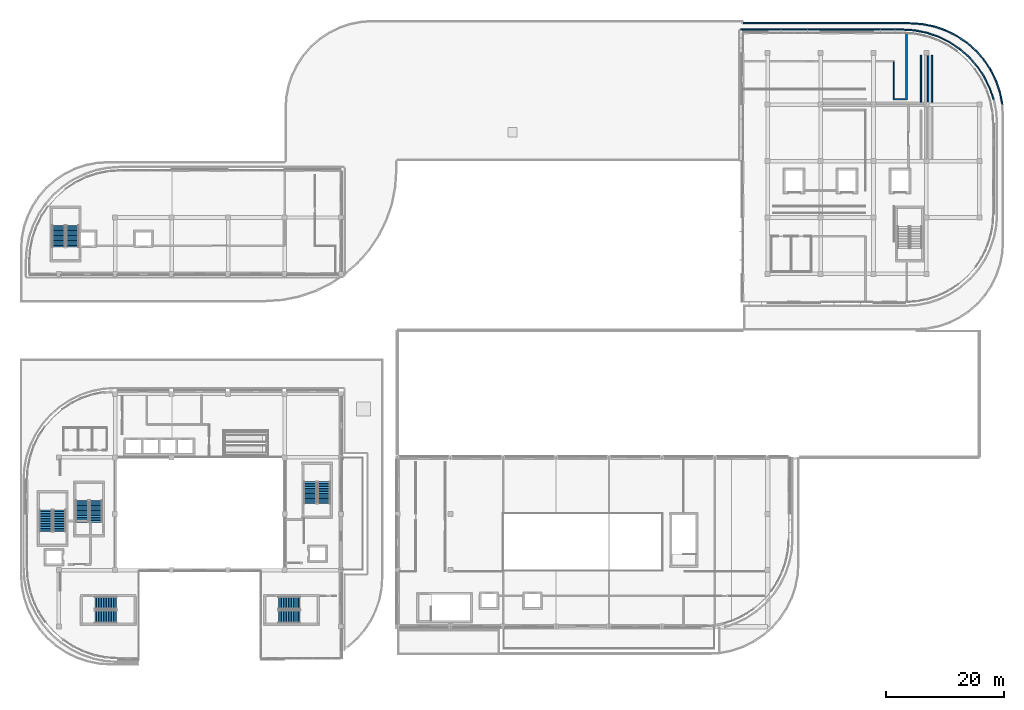
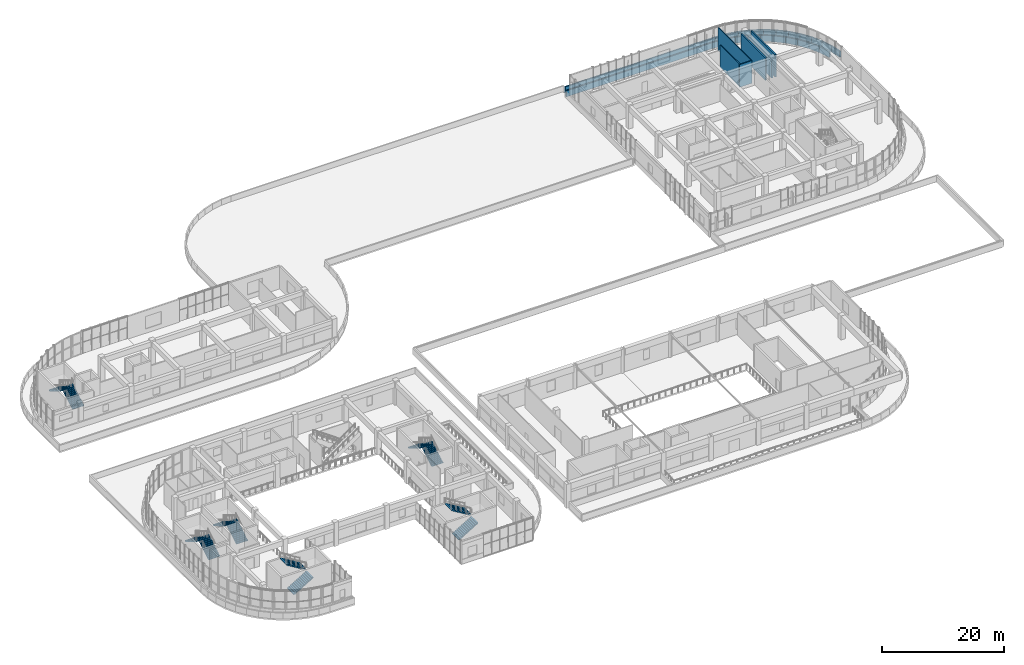
# One storey, part 52 of 67: 29 walls, 12 stair flights, 6 elements without a shape of their own.
"""IFC4 building model written with IfcOpenShell, lengths in metres."""

from ifc_helpers import new_model, si_unit, direction, frame, frame_2d, origin, place, context, subcontext, project, spatial, polyline, rectangle, outline, extrude, material, layer, layer_set, type_object, element, aggregate, save


model = new_model("IFC4")

# Units and contexts
model_context = context("Model", 3, precision=1e-05, world=origin(), true_north=direction((0.0, 1.0)))
body_context = subcontext(model_context, "Body", "Model", "MODEL_VIEW")
ifc_project = project(units=[si_unit("LENGTHUNIT", "METRE"), si_unit("AREAUNIT", "SQUARE_METRE"), si_unit("VOLUMEUNIT", "CUBIC_METRE"), si_unit("PLANEANGLEUNIT", "RADIAN"), si_unit("MASSUNIT", "GRAM", prefix="KILO")], contexts=[model_context])

# Site, building, storey
site_placement = place(None, origin())
site = spatial("IfcSite", under=ifc_project, at=site_placement, CompositionType="ELEMENT")
building_placement = place(site_placement, origin())
building = spatial("IfcBuilding", under=site, at=building_placement, Name="Cendralis Terraced Arcade", CompositionType="ELEMENT")
storey_placement = place(building_placement, frame((0.0, 0.0, 15.0)))
storey = spatial("IfcBuildingStorey", under=building, at=storey_placement, Name="L03", CompositionType="ELEMENT", Elevation=15.0)

# Walls
ifc_material_1 = material(Name="Autoclaved aerated concrete blockwork", Category="masonry")
ifc_layer_1 = layer(ifc_material_1, 0.241943359375, Name="WL-FIRE-242")
ifc_layer_set_1 = layer_set([ifc_layer_1], Name="Autoclaved aerated concrete blockwork")
wall_type_1 = type_object("IfcWallType", Name="WL-FIRE-242", PredefinedType="PARTITIONING", material=ifc_layer_set_1)
wall_1_placement = place(storey_placement, frame((158.1201171875, 98.824951171875, 0.0), z_axis=(0.0, 0.0, 1.0), x_axis=(0.0, 1.0, 0.0)))
element("IfcWall", 1, at=wall_1_placement, inside=storey, type_object=wall_type_1, Name="Interior Partition Wall IW-L03-0575", PredefinedType="PARTITIONING", context=body_context, shape_type="SweptSolid", body=[
    extrude(rectangle(XDim=7.949951171875, YDim=0.241943359375, at=frame_2d((3.97509765625, 0.0))), origin(), (0.0, 0.0, 1.0), 4.52001953125),
])
wall_2_placement = place(storey_placement, frame((156.280029296875, 106.77490234375, 0.0), z_axis=(0.0, 0.0, 1.0), x_axis=(0.0, -1.0, 0.0)))
element("IfcWall", 2, at=wall_2_placement, inside=storey, type_object=wall_type_1, Name="Interior Partition Wall IW-L03-0576", PredefinedType="PARTITIONING", context=body_context, shape_type="SweptSolid", body=[
    extrude(rectangle(XDim=7.96484375, YDim=0.241943359375, at=frame_2d((3.982421875, 0.0))), origin(), (0.0, 0.0, 1.0), 4.52001953125),
])
ifc_layer_2 = layer(ifc_material_1, 0.260009765625, Name="WL-FIRE-260")
ifc_layer_set_2 = layer_set([ifc_layer_2], Name="Autoclaved aerated concrete blockwork")
wall_type_2 = type_object("IfcWallType", Name="WL-FIRE-260", PredefinedType="PARTITIONING", material=ifc_layer_set_2)
wall_3_placement = place(storey_placement, frame((157.47998046875, 98.8798828125, 0.0), z_axis=(0.0, 0.0, 1.0), x_axis=(0.0, 1.0, 0.0)))
element("IfcWall", 3, at=wall_3_placement, inside=storey, type_object=wall_type_2, Name="Braced Bay Fire Enclosure Wall IW-BRC-L03-04", PredefinedType="PARTITIONING", context=body_context, shape_type="SweptSolid", body=[
    extrude(rectangle(XDim=7.840087890625, YDim=0.260009765625, at=frame_2d((3.919921875, 0.0))), origin(), (0.0, 0.0, 1.0), 3.4599609375),
])
ifc_material_2 = material(Name="Precast concrete f'c 40 MPa", Category="concrete")
ifc_layer_3 = layer(ifc_material_2, 0.25, Name="WL-PAR-250")
ifc_layer_set_3 = layer_set([ifc_layer_3], Name="Precast concrete f'c 40 MPa")
wall_type_3 = type_object("IfcWallType", Name="WL-PAR-250", PredefinedType="PARAPET", material=ifc_layer_set_3)
wall_4_placement = place(storey_placement, frame((168.61572265625, 99.26708984375, 0.0), z_axis=(0.0, 0.0, 1.0), x_axis=(-0.321427744979, 0.946934107928, 0.0)))
element("IfcWall", 4, at=wall_4_placement, inside=storey, type_object=wall_type_3, Name="Precast Concrete Roof Parapet Wall PAR-L03-188", PredefinedType="PARAPET", context=body_context, shape_type="SweptSolid", body=[
    extrude(rectangle(XDim=2.082763671875, YDim=0.25, at=frame_2d((1.04150390625, 0.0))), origin(), (0.0, 0.0, 1.0), 1.199951171875),
])
for number, where, z_axis, x_axis, name in (
    (5, (167.93896484375, 101.2568359375, 0.0), (0.0, 0.0, 1.0), (-0.442329946041, 0.896852395233, 0.0), "Precast Concrete Roof Parapet Wall PAR-L03-189"),
    (6, (167.008544921875, 103.14111328125, 0.0), (0.0, 0.0, 1.0), (-0.555592692256, 0.831454605082, 0.0), "Precast Concrete Roof Parapet Wall PAR-L03-190"),
    (7, (165.83984375, 104.8876953125, 0.0), (0.0, 0.0, 1.0), (-0.659342497809, 0.751842716652, 0.0), "Precast Concrete Roof Parapet Wall PAR-L03-191"),
    (8, (164.453369140625, 106.466796875, 0.0), (0.0, 0.0, 1.0), (-0.751842716652, 0.659342497809, 0.0), "Precast Concrete Roof Parapet Wall PAR-L03-192"),
    (9, (162.87255859375, 107.8515625, 0.0), (0.0, 0.0, 1.0), (-0.831454605082, 0.555592692256, 0.0), "Precast Concrete Roof Parapet Wall PAR-L03-193"),
    (10, (161.12451171875, 109.017822265625, 0.0), (0.0, 0.0, 1.0), (-0.896852395233, 0.442329946041, 0.0), "Precast Concrete Roof Parapet Wall PAR-L03-194"),
):
    element("IfcWall", number, at=place(storey_placement, frame(where, z_axis=z_axis, x_axis=x_axis)), inside=storey, type_object=wall_type_3, Name=name, PredefinedType="PARAPET", context=body_context, shape_type="SweptSolid", body=[
        extrude(rectangle(XDim=2.08251953125, YDim=0.25, at=frame_2d((1.041259765625, 0.0))), origin(), (0.0, 0.0, 1.0), 1.199951171875),
    ])
wall_5_placement = place(storey_placement, frame((159.2392578125, 109.9462890625, 0.0), z_axis=(0.0, 0.0, 1.0), x_axis=(-0.946934107928, 0.321427744979, 0.0)))
element("IfcWall", 11, at=wall_5_placement, inside=storey, type_object=wall_type_3, Name="Precast Concrete Roof Parapet Wall PAR-L03-195", PredefinedType="PARAPET", context=body_context, shape_type="SweptSolid", body=[
    extrude(rectangle(XDim=2.082763671875, YDim=0.25, at=frame_2d((1.04150390625, 0.0))), origin(), (0.0, 0.0, 1.0), 1.199951171875),
])
wall_6_placement = place(storey_placement, frame((157.248779296875, 110.62060546875, 0.0), z_axis=(0.0, 0.0, 1.0), x_axis=(-0.980787542946, 0.195078947103, 0.0)))
element("IfcWall", 12, at=wall_6_placement, inside=storey, type_object=wall_type_3, Name="Precast Concrete Roof Parapet Wall PAR-L03-196", PredefinedType="PARAPET", context=body_context, shape_type="SweptSolid", body=[
    extrude(rectangle(XDim=2.08251953125, YDim=0.25, at=frame_2d((1.041259765625, 0.0))), origin(), (0.0, 0.0, 1.0), 1.199951171875),
])
wall_7_placement = place(storey_placement, frame((155.1875, 111.029296875, 0.0), z_axis=(0.0, 0.0, 1.0), x_axis=(-0.997852525394, 0.065500668432, 0.0)))
element("IfcWall", 13, at=wall_7_placement, inside=storey, type_object=wall_type_3, Name="Precast Concrete Roof Parapet Wall PAR-L03-197", PredefinedType="PARAPET", context=body_context, shape_type="SweptSolid", body=[
    extrude(rectangle(XDim=2.068603515625, YDim=0.25, at=frame_2d((1.0341796875, 0.0))), origin(), (0.0, 0.0, 1.0), 1.199951171875),
])
wall_8_placement = place(storey_placement, frame((153.11376953125, 111.1650390625, 0.0), z_axis=(0.0, 0.0, 1.0), x_axis=(-1.0, 0.0, 0.0)))
element("IfcWall", 14, at=wall_8_placement, inside=storey, type_object=wall_type_3, Name="Precast Concrete Roof Parapet Wall PAR-L03-198", PredefinedType="PARAPET", context=body_context, shape_type="SweptSolid", body=[
    extrude(rectangle(XDim=27.53369140625, YDim=0.25, at=frame_2d((13.766845703125, 0.0))), origin(), (0.0, 0.0, 1.0), 1.199951171875),
])
wall_9_placement = place(storey_placement, frame((126.0, 112.2548828125, 0.0), z_axis=(0.0, 0.0, 1.0), x_axis=(1.0, 0.0, 0.0)))
element("IfcWall", 15, at=wall_9_placement, inside=storey, type_object=wall_type_3, Name="Precast Concrete Roof Parapet Wall PAR-L03-259", PredefinedType="PARAPET", context=body_context, shape_type="SweptSolid", body=[
    extrude(rectangle(XDim=28.39990234375, YDim=0.25, at=frame_2d((14.199951171875, 0.0))), origin(), (0.0, 0.0, 1.0), 1.199951171875),
])
wall_10_placement = place(storey_placement, frame((154.390380859375, 112.25537109375, 0.0), z_axis=(0.0, 0.0, 1.0), x_axis=(0.997856824199, -0.065435146508, 0.0)))
element("IfcWall", 16, at=wall_10_placement, inside=storey, type_object=wall_type_3, Name="Precast Concrete Roof Parapet Wall PAR-L03-260", PredefinedType="PARAPET", context=body_context, shape_type="SweptSolid", body=[
    extrude(rectangle(XDim=2.093017578125, YDim=0.25, at=frame_2d((1.04638671875, 0.0))), origin(), (0.0, 0.0, 1.0), 1.199951171875),
])
wall_11_placement = place(storey_placement, frame((156.460205078125, 112.120849609375, 0.0), z_axis=(0.0, 0.0, 1.0), x_axis=(0.980791000656, -0.195061562162, 0.0)))
element("IfcWall", 17, at=wall_11_placement, inside=storey, type_object=wall_type_3, Name="Precast Concrete Roof Parapet Wall PAR-L03-261", PredefinedType="PARAPET", context=body_context, shape_type="SweptSolid", body=[
    extrude(rectangle(XDim=2.0927734375, YDim=0.25, at=frame_2d((1.04638671875, 0.0))), origin(), (0.0, 0.0, 1.0), 1.199951171875),
])
for number, where, z_axis, x_axis, name in (
    (18, (158.494384765625, 111.717529296875, 0.0), (0.0, 0.0, 1.0), (0.946954614039, -0.321367327135, 0.0), "Precast Concrete Roof Parapet Wall PAR-L03-262"),
    (19, (160.458740234375, 111.052001953125, 0.0), (0.0, 0.0, 1.0), (0.896909532793, -0.4422140771, 0.0), "Precast Concrete Roof Parapet Wall PAR-L03-263"),
):
    element("IfcWall", number, at=place(storey_placement, frame(where, z_axis=z_axis, x_axis=x_axis)), inside=storey, type_object=wall_type_3, Name=name, PredefinedType="PARAPET", context=body_context, shape_type="SweptSolid", body=[
        extrude(rectangle(XDim=2.093017578125, YDim=0.25, at=frame_2d((1.04638671875, 0.0))), origin(), (0.0, 0.0, 1.0), 1.199951171875),
    ])
for number, where, z_axis, x_axis, name in (
    (20, (162.3193359375, 110.1357421875, 0.0), (0.0, 0.0, 1.0), (0.831511498164, -0.555507541282, 0.0), "Precast Concrete Roof Parapet Wall PAR-L03-264"),
    (21, (164.044677734375, 108.984619140625, 0.0), (0.0, 0.0, 1.0), (0.751846359684, -0.659338343667, 0.0), "Precast Concrete Roof Parapet Wall PAR-L03-265"),
    (22, (165.604736328125, 107.6181640625, 0.0), (0.0, 0.0, 1.0), (0.659338343667, -0.751846359684, 0.0), "Precast Concrete Roof Parapet Wall PAR-L03-266"),
    (23, (166.97314453125, 106.0595703125, 0.0), (0.0, 0.0, 1.0), (0.555507541282, -0.831511498164, 0.0), "Precast Concrete Roof Parapet Wall PAR-L03-267"),
):
    element("IfcWall", number, at=place(storey_placement, frame(where, z_axis=z_axis, x_axis=x_axis)), inside=storey, type_object=wall_type_3, Name=name, PredefinedType="PARAPET", context=body_context, shape_type="SweptSolid", body=[
        extrude(rectangle(XDim=2.0927734375, YDim=0.25, at=frame_2d((1.04638671875, 0.0))), origin(), (0.0, 0.0, 1.0), 1.199951171875),
    ])
for number, where, z_axis, x_axis, name in (
    (24, (168.12646484375, 104.3359375, 0.0), (0.0, 0.0, 1.0), (0.4422140771, -0.896909532793, 0.0), "Precast Concrete Roof Parapet Wall PAR-L03-268"),
    (25, (169.044921875, 102.476318359375, 0.0), (0.0, 0.0, 1.0), (0.321367327135, -0.946954614039, 0.0), "Precast Concrete Roof Parapet Wall PAR-L03-269"),
):
    element("IfcWall", number, at=place(storey_placement, frame(where, z_axis=z_axis, x_axis=x_axis)), inside=storey, type_object=wall_type_3, Name=name, PredefinedType="PARAPET", context=body_context, shape_type="SweptSolid", body=[
        extrude(rectangle(XDim=2.093017578125, YDim=0.25, at=frame_2d((1.04638671875, 0.0))), origin(), (0.0, 0.0, 1.0), 1.199951171875),
    ])
wall_12_placement = place(storey_placement, frame((169.712646484375, 100.5126953125, 0.0), z_axis=(0.0, 0.0, 1.0), x_axis=(0.195061562162, -0.980791000656, 0.0)))
element("IfcWall", 26, at=wall_12_placement, inside=storey, type_object=wall_type_3, Name="Precast Concrete Roof Parapet Wall PAR-L03-270", PredefinedType="PARAPET", context=body_context, shape_type="SweptSolid", body=[
    extrude(rectangle(XDim=2.0927734375, YDim=0.25, at=frame_2d((1.04638671875, 0.0))), origin(), (0.0, 0.0, 1.0), 1.199951171875),
])
ifc_material_3 = material(Name="Gypsum plasterboard acoustic partition", Category="concrete")
ifc_layer_4 = layer(ifc_material_3, 0.169921875, Name="WL-PART-170")
ifc_layer_set_4 = layer_set([ifc_layer_4], Name="Gypsum plasterboard acoustic partition")
wall_type_4 = type_object("IfcWallType", Name="WL-PART-170", PredefinedType="PARTITIONING", material=ifc_layer_set_4)
wall_13_placement = place(storey_placement, frame((153.8798828125, 110.2080078125, 0.0), z_axis=(0.0, 0.0, 1.0), x_axis=(0.0, -1.0, 0.0)))
element("IfcWall", 27, at=wall_13_placement, inside=storey, type_object=wall_type_4, Name="Interior Partition Wall IW-L03-0571", PredefinedType="PARTITIONING", context=body_context, shape_type="SweptSolid", body=[
    extrude(rectangle(XDim=10.887939453125, YDim=0.169921875, at=frame_2d((5.44384765625, 0.0))), origin(), (0.0, 0.0, 1.0), 4.52001953125),
])
ifc_layer_5 = layer(ifc_material_3, 0.175048828125, Name="WL-PART-175")
ifc_layer_set_5 = layer_set([ifc_layer_5], Name="Gypsum plasterboard acoustic partition")
wall_type_5 = type_object("IfcWallType", Name="WL-PART-175", PredefinedType="PARTITIONING", material=ifc_layer_set_5)
wall_14_placement = place(storey_placement, frame((153.8798828125, 99.320068359375, 0.0), z_axis=(0.0, 0.0, 1.0), x_axis=(-1.0, 0.0, 0.0)))
element("IfcWall", 28, at=wall_14_placement, inside=storey, type_object=wall_type_5, Name="Interior Partition Wall IW-L03-0570", PredefinedType="PARTITIONING", context=body_context, shape_type="SweptSolid", body=[
    extrude(rectangle(XDim=2.36083984375, YDim=0.175048828125, at=frame_2d((1.180419921875, 0.0))), origin(), (0.0, 0.0, 1.0), 4.52001953125),
])
ifc_layer_6 = layer(ifc_material_3, 0.179931640625, Name="WL-PART-180")
ifc_layer_set_6 = layer_set([ifc_layer_6], Name="Gypsum plasterboard acoustic partition")
wall_type_6 = type_object("IfcWallType", Name="WL-PART-180", PredefinedType="PARTITIONING", material=ifc_layer_set_6)
wall_15_placement = place(storey_placement, frame((151.679931640625, 99.407470703125, 0.0), z_axis=(0.0, 0.0, 1.0), x_axis=(0.0, 1.0, 0.0)))
element("IfcWall", 29, at=wall_15_placement, inside=storey, type_object=wall_type_6, Name="Interior Partition Wall IW-L03-0569", PredefinedType="PARTITIONING", context=body_context, shape_type="SweptSolid", body=[
    extrude(rectangle(XDim=6.280029296875, YDim=0.179931640625, at=frame_2d((3.14013671875, 0.0))), origin(), (0.0, 0.0, 1.0), 4.52001953125),
])

# Stair, stair flights
ifc_material_4 = material(Name="Concrete f'c 35 MPa", Category="concrete")
stair_type = type_object("IfcStairType", Name="STR-W215-H480", PredefinedType="HALF_TURN_STAIR", material=ifc_material_4)
stair_1_placement = place(storey_placement, origin())
stair_1 = element("IfcStair", 30, at=stair_1_placement, inside=storey, type_object=stair_type, Name="L03 Protected Exit Stair ST-01", PredefinedType="HALF_TURN_STAIR")
ifc_layer_7 = layer(ifc_material_4, 0.159912109375, Name="FLT-W215-H480")
ifc_layer_set_7 = layer_set([ifc_layer_7], Name="Concrete f'c 35 MPa")
stair_flight_type = type_object("IfcStairFlightType", Name="FLT-W215-H480", PredefinedType="STRAIGHT", material=ifc_layer_set_7)
stair_flight_1_placement = place(storey_placement, frame((9.72509765625, 25.75, 0.0), z_axis=(0.0, 0.0, 1.0), x_axis=(0.0, 1.0, 0.0)))
stair_flight_1 = element("IfcStairFlight", 31, at=stair_flight_1_placement, type_object=stair_flight_type, Name="ST-01 flight 1", NumberOfRisers=14, NumberOfTreads=13, PredefinedType="STRAIGHT", RiserHeight=0.171428571, TreadLength=0.285, context=body_context, shape_type="SweptSolid", body=[
    extrude(outline(polyline([(0.0, 0.0), (0.0, 0.17138671875), (0.284912109375, 0.17138671875), (0.284912109375, 0.3427734375), (0.570068359375, 0.3427734375), (0.570068359375, 0.514404296875), (0.85498046875, 0.514404296875), (0.85498046875, 0.685791015625), (1.139892578125, 0.685791015625), (1.139892578125, 0.857177734375), (1.425048828125, 0.857177734375), (1.425048828125, 1.028564453125), (1.7099609375, 1.028564453125), (1.7099609375, 1.199951171875), (1.9951171875, 1.199951171875), (1.9951171875, 1.371337890625), (2.280029296875, 1.371337890625), (2.280029296875, 1.54296875), (2.56494140625, 1.54296875), (2.56494140625, 1.71435546875), (2.85009765625, 1.71435546875), (2.85009765625, 1.8857421875), (3.135009765625, 1.8857421875), (3.135009765625, 2.05712890625), (3.419921875, 2.05712890625), (3.419921875, 2.228515625), (3.705078125, 2.228515625), (3.705078125, 2.39990234375), (3.705078125, 2.0537109375), (0.290771484375, 0.0), (0.0, 0.0)])), frame((0.0, 1.074951171875, 0.0), z_axis=(0.0, -1.0, 0.0), x_axis=(1.0, 0.0, 0.0)), (0.0, 0.0, 1.0), 2.14990234375),
])
stair_flight_2_placement = place(storey_placement, frame((7.375, 29.455078125, 2.39990234375), z_axis=(0.0, 0.0, 1.0), x_axis=(0.0, -1.0, 0.0)))
stair_flight_2 = element("IfcStairFlight", 32, at=stair_flight_2_placement, type_object=stair_flight_type, Name="ST-01 flight 2", NumberOfRisers=14, NumberOfTreads=13, PredefinedType="STRAIGHT", RiserHeight=0.171428571, TreadLength=0.285, context=body_context, shape_type="SweptSolid", body=[
    extrude(outline(polyline([(0.0, 0.0), (0.0, 0.17138671875), (0.284912109375, 0.17138671875), (0.284912109375, 0.3427734375), (0.570068359375, 0.3427734375), (0.570068359375, 0.514404296875), (0.85498046875, 0.514404296875), (0.85498046875, 0.685791015625), (1.139892578125, 0.685791015625), (1.139892578125, 0.857177734375), (1.425048828125, 0.857177734375), (1.425048828125, 1.028564453125), (1.7099609375, 1.028564453125), (1.7099609375, 1.199951171875), (1.9951171875, 1.199951171875), (1.9951171875, 1.371337890625), (2.280029296875, 1.371337890625), (2.280029296875, 1.54296875), (2.56494140625, 1.54296875), (2.56494140625, 1.71435546875), (2.85009765625, 1.71435546875), (2.85009765625, 1.8857421875), (3.135009765625, 1.8857421875), (3.135009765625, 2.05712890625), (3.419921875, 2.05712890625), (3.419921875, 2.228515625), (3.705078125, 2.228515625), (3.705078125, 2.39990234375), (3.705078125, 2.0537109375), (0.290771484375, 0.0), (0.0, 0.0)])), frame((0.0, 1.074951171875, 0.0), z_axis=(0.0, -1.0, 0.0), x_axis=(1.0, 0.0, 0.0)), (0.0, 0.0, 1.0), 2.14990234375),
])
aggregate(stair_1, [stair_flight_1, stair_flight_2])

stair_2_placement = place(storey_placement, origin())
stair_2 = element("IfcStair", 33, at=stair_2_placement, inside=storey, type_object=stair_type, Name="L03 Protected Exit Stair ST-02", PredefinedType="HALF_TURN_STAIR")
stair_flight_3_placement = place(storey_placement, frame((15.75, 11.27490234375, 0.0), z_axis=(0.0, 0.0, 1.0), x_axis=(1.0, 0.0, 0.0)))
stair_flight_3 = element("IfcStairFlight", 34, at=stair_flight_3_placement, type_object=stair_flight_type, Name="ST-02 flight 1", NumberOfRisers=14, NumberOfTreads=13, PredefinedType="STRAIGHT", RiserHeight=0.171428571, TreadLength=0.285, context=body_context, shape_type="SweptSolid", body=[
    extrude(outline(polyline([(0.0, 0.0), (0.0, 0.17138671875), (0.284912109375, 0.17138671875), (0.284912109375, 0.3427734375), (0.570068359375, 0.3427734375), (0.570068359375, 0.514404296875), (0.85498046875, 0.514404296875), (0.85498046875, 0.685791015625), (1.139892578125, 0.685791015625), (1.139892578125, 0.857177734375), (1.425048828125, 0.857177734375), (1.425048828125, 1.028564453125), (1.7099609375, 1.028564453125), (1.7099609375, 1.199951171875), (1.9951171875, 1.199951171875), (1.9951171875, 1.371337890625), (2.280029296875, 1.371337890625), (2.280029296875, 1.54296875), (2.56494140625, 1.54296875), (2.56494140625, 1.71435546875), (2.85009765625, 1.71435546875), (2.85009765625, 1.8857421875), (3.135009765625, 1.8857421875), (3.135009765625, 2.05712890625), (3.419921875, 2.05712890625), (3.419921875, 2.228515625), (3.705078125, 2.228515625), (3.705078125, 2.39990234375), (3.705078125, 2.0537109375), (0.290771484375, 0.0), (0.0, 0.0)])), frame((0.0, 1.074951171875, 0.0), z_axis=(0.0, -1.0, 0.0), x_axis=(1.0, 0.0, 0.0)), (0.0, 0.0, 1.0), 2.14990234375),
])
stair_flight_4_placement = place(storey_placement, frame((19.455078125, 13.625, 2.39990234375), z_axis=(0.0, 0.0, 1.0), x_axis=(-1.0, 0.0, 0.0)))
stair_flight_4 = element("IfcStairFlight", 35, at=stair_flight_4_placement, type_object=stair_flight_type, Name="ST-02 flight 2", NumberOfRisers=14, NumberOfTreads=13, PredefinedType="STRAIGHT", RiserHeight=0.171428571, TreadLength=0.285, context=body_context, shape_type="SweptSolid", body=[
    extrude(outline(polyline([(0.0, 0.0), (0.0, 0.17138671875), (0.284912109375, 0.17138671875), (0.284912109375, 0.3427734375), (0.570068359375, 0.3427734375), (0.570068359375, 0.514404296875), (0.85498046875, 0.514404296875), (0.85498046875, 0.685791015625), (1.139892578125, 0.685791015625), (1.139892578125, 0.857177734375), (1.425048828125, 0.857177734375), (1.425048828125, 1.028564453125), (1.7099609375, 1.028564453125), (1.7099609375, 1.199951171875), (1.9951171875, 1.199951171875), (1.9951171875, 1.371337890625), (2.280029296875, 1.371337890625), (2.280029296875, 1.54296875), (2.56494140625, 1.54296875), (2.56494140625, 1.71435546875), (2.85009765625, 1.71435546875), (2.85009765625, 1.8857421875), (3.135009765625, 1.8857421875), (3.135009765625, 2.05712890625), (3.419921875, 2.05712890625), (3.419921875, 2.228515625), (3.705078125, 2.228515625), (3.705078125, 2.39990234375), (3.705078125, 2.0537109375), (0.290771484375, 0.0), (0.0, 0.0)])), frame((0.0, 1.074951171875, 0.0), z_axis=(0.0, -1.0, 0.0), x_axis=(1.0, 0.0, 0.0)), (0.0, 0.0, 1.0), 2.14990234375),
])
aggregate(stair_2, [stair_flight_3, stair_flight_4])

stair_3_placement = place(storey_placement, origin())
stair_3 = element("IfcStair", 36, at=stair_3_placement, inside=storey, type_object=stair_type, Name="L03 Protected Exit Stair ST-03", PredefinedType="HALF_TURN_STAIR")
stair_flight_5_placement = place(storey_placement, frame((46.949951171875, 11.27490234375, 0.0), z_axis=(0.0, 0.0, 1.0), x_axis=(1.0, 0.0, 0.0)))
stair_flight_5 = element("IfcStairFlight", 37, at=stair_flight_5_placement, type_object=stair_flight_type, Name="ST-03 flight 1", NumberOfRisers=14, NumberOfTreads=13, PredefinedType="STRAIGHT", RiserHeight=0.171428571, TreadLength=0.285, context=body_context, shape_type="SweptSolid", body=[
    extrude(outline(polyline([(0.0, 0.0), (0.0, 0.17138671875), (0.284912109375, 0.17138671875), (0.284912109375, 0.3427734375), (0.570068359375, 0.3427734375), (0.570068359375, 0.514404296875), (0.85498046875, 0.514404296875), (0.85498046875, 0.685791015625), (1.139892578125, 0.685791015625), (1.139892578125, 0.857177734375), (1.425048828125, 0.857177734375), (1.425048828125, 1.028564453125), (1.7099609375, 1.028564453125), (1.7099609375, 1.199951171875), (1.9951171875, 1.199951171875), (1.9951171875, 1.371337890625), (2.280029296875, 1.371337890625), (2.280029296875, 1.54296875), (2.56494140625, 1.54296875), (2.56494140625, 1.71435546875), (2.85009765625, 1.71435546875), (2.85009765625, 1.8857421875), (3.135009765625, 1.8857421875), (3.135009765625, 2.05712890625), (3.419921875, 2.05712890625), (3.419921875, 2.228515625), (3.705078125, 2.228515625), (3.705078125, 2.39990234375), (3.705078125, 2.0537109375), (0.290771484375, 0.0), (0.0, 0.0)])), frame((0.0, 1.074951171875, 0.0), z_axis=(0.0, -1.0, 0.0), x_axis=(1.0, 0.0, 0.0)), (0.0, 0.0, 1.0), 2.14990234375),
])
stair_flight_6_placement = place(storey_placement, frame((50.655029296875, 13.625, 2.39990234375), z_axis=(0.0, 0.0, 1.0), x_axis=(-1.0, 0.0, 0.0)))
stair_flight_6 = element("IfcStairFlight", 38, at=stair_flight_6_placement, type_object=stair_flight_type, Name="ST-03 flight 2", NumberOfRisers=14, NumberOfTreads=13, PredefinedType="STRAIGHT", RiserHeight=0.171428571, TreadLength=0.285, context=body_context, shape_type="SweptSolid", body=[
    extrude(outline(polyline([(0.0, 0.0), (0.0, 0.17138671875), (0.284912109375, 0.17138671875), (0.284912109375, 0.3427734375), (0.570068359375, 0.3427734375), (0.570068359375, 0.514404296875), (0.85498046875, 0.514404296875), (0.85498046875, 0.685791015625), (1.139892578125, 0.685791015625), (1.139892578125, 0.857177734375), (1.425048828125, 0.857177734375), (1.425048828125, 1.028564453125), (1.7099609375, 1.028564453125), (1.7099609375, 1.199951171875), (1.9951171875, 1.199951171875), (1.9951171875, 1.371337890625), (2.280029296875, 1.371337890625), (2.280029296875, 1.54296875), (2.56494140625, 1.54296875), (2.56494140625, 1.71435546875), (2.85009765625, 1.71435546875), (2.85009765625, 1.8857421875), (3.135009765625, 1.8857421875), (3.135009765625, 2.05712890625), (3.419921875, 2.05712890625), (3.419921875, 2.228515625), (3.705078125, 2.228515625), (3.705078125, 2.39990234375), (3.705078125, 2.0537109375), (0.290771484375, 0.0), (0.0, 0.0)])), frame((0.0, 1.074951171875, 0.0), z_axis=(0.0, -1.0, 0.0), x_axis=(1.0, 0.0, 0.0)), (0.0, 0.0, 1.0), 2.14990234375),
])
aggregate(stair_3, [stair_flight_5, stair_flight_6])

stair_4_placement = place(storey_placement, origin())
stair_4 = element("IfcStair", 39, at=stair_4_placement, inside=storey, type_object=stair_type, Name="L03 Protected Exit Stair ST-04", PredefinedType="HALF_TURN_STAIR")
stair_flight_7_placement = place(storey_placement, frame((54.72509765625, 30.550048828125, 0.0), z_axis=(0.0, 0.0, 1.0), x_axis=(0.0, 1.0, 0.0)))
stair_flight_7 = element("IfcStairFlight", 40, at=stair_flight_7_placement, type_object=stair_flight_type, Name="ST-04 flight 1", NumberOfRisers=14, NumberOfTreads=13, PredefinedType="STRAIGHT", RiserHeight=0.171428571, TreadLength=0.285, context=body_context, shape_type="SweptSolid", body=[
    extrude(outline(polyline([(0.0, 0.0), (0.0, 0.17138671875), (0.284912109375, 0.17138671875), (0.284912109375, 0.3427734375), (0.570068359375, 0.3427734375), (0.570068359375, 0.514404296875), (0.85498046875, 0.514404296875), (0.85498046875, 0.685791015625), (1.139892578125, 0.685791015625), (1.139892578125, 0.857177734375), (1.425048828125, 0.857177734375), (1.425048828125, 1.028564453125), (1.7099609375, 1.028564453125), (1.7099609375, 1.199951171875), (1.9951171875, 1.199951171875), (1.9951171875, 1.371337890625), (2.280029296875, 1.371337890625), (2.280029296875, 1.54296875), (2.56494140625, 1.54296875), (2.56494140625, 1.71435546875), (2.85009765625, 1.71435546875), (2.85009765625, 1.8857421875), (3.135009765625, 1.8857421875), (3.135009765625, 2.05712890625), (3.419921875, 2.05712890625), (3.419921875, 2.228515625), (3.705078125, 2.228515625), (3.705078125, 2.39990234375), (3.705078125, 2.0537109375), (0.290771484375, 0.0), (0.0, 0.0)])), frame((0.0, 1.074951171875, 0.0), z_axis=(0.0, -1.0, 0.0), x_axis=(1.0, 0.0, 0.0)), (0.0, 0.0, 1.0), 2.14990234375),
])
stair_flight_8_placement = place(storey_placement, frame((52.375, 34.2548828125, 2.39990234375), z_axis=(0.0, 0.0, 1.0), x_axis=(0.0, -1.0, 0.0)))
stair_flight_8 = element("IfcStairFlight", 41, at=stair_flight_8_placement, type_object=stair_flight_type, Name="ST-04 flight 2", NumberOfRisers=14, NumberOfTreads=13, PredefinedType="STRAIGHT", RiserHeight=0.171428571, TreadLength=0.285, context=body_context, shape_type="SweptSolid", body=[
    extrude(outline(polyline([(0.0, 0.0), (0.0, 0.17138671875), (0.284912109375, 0.17138671875), (0.284912109375, 0.3427734375), (0.570068359375, 0.3427734375), (0.570068359375, 0.514404296875), (0.85498046875, 0.514404296875), (0.85498046875, 0.685791015625), (1.139892578125, 0.685791015625), (1.139892578125, 0.857177734375), (1.425048828125, 0.857177734375), (1.425048828125, 1.028564453125), (1.7099609375, 1.028564453125), (1.7099609375, 1.199951171875), (1.9951171875, 1.199951171875), (1.9951171875, 1.371337890625), (2.280029296875, 1.371337890625), (2.280029296875, 1.54296875), (2.56494140625, 1.54296875), (2.56494140625, 1.71435546875), (2.85009765625, 1.71435546875), (2.85009765625, 1.8857421875), (3.135009765625, 1.8857421875), (3.135009765625, 2.05712890625), (3.419921875, 2.05712890625), (3.419921875, 2.228515625), (3.705078125, 2.228515625), (3.705078125, 2.39990234375), (3.705078125, 2.0537109375), (0.290771484375, 0.0), (0.0, 0.0)])), frame((0.0, 1.074951171875, 0.0), z_axis=(0.0, -1.0, 0.0), x_axis=(1.0, 0.0, 0.0)), (0.0, 0.0, 1.0), 2.14990234375),
])
aggregate(stair_4, [stair_flight_7, stair_flight_8])

stair_5_placement = place(storey_placement, origin())
stair_5 = element("IfcStair", 42, at=stair_5_placement, inside=storey, type_object=stair_type, Name="L03 Protected Exit Stair ST-05", PredefinedType="HALF_TURN_STAIR")
stair_flight_9_placement = place(storey_placement, frame((15.925048828125, 27.35009765625, 0.0), z_axis=(0.0, 0.0, 1.0), x_axis=(0.0, 1.0, 0.0)))
stair_flight_9 = element("IfcStairFlight", 43, at=stair_flight_9_placement, type_object=stair_flight_type, Name="ST-05 flight 1", NumberOfRisers=14, NumberOfTreads=13, PredefinedType="STRAIGHT", RiserHeight=0.171428571, TreadLength=0.285, context=body_context, shape_type="SweptSolid", body=[
    extrude(outline(polyline([(0.0, 0.0), (0.0, 0.17138671875), (0.284912109375, 0.17138671875), (0.284912109375, 0.3427734375), (0.570068359375, 0.3427734375), (0.570068359375, 0.514404296875), (0.85498046875, 0.514404296875), (0.85498046875, 0.685791015625), (1.139892578125, 0.685791015625), (1.139892578125, 0.857177734375), (1.425048828125, 0.857177734375), (1.425048828125, 1.028564453125), (1.7099609375, 1.028564453125), (1.7099609375, 1.199951171875), (1.9951171875, 1.199951171875), (1.9951171875, 1.371337890625), (2.280029296875, 1.371337890625), (2.280029296875, 1.54296875), (2.56494140625, 1.54296875), (2.56494140625, 1.71435546875), (2.85009765625, 1.71435546875), (2.85009765625, 1.8857421875), (3.135009765625, 1.8857421875), (3.135009765625, 2.05712890625), (3.419921875, 2.05712890625), (3.419921875, 2.228515625), (3.705078125, 2.228515625), (3.705078125, 2.39990234375), (3.705078125, 2.0537109375), (0.290771484375, 0.0), (0.0, 0.0)])), frame((0.0, 1.074951171875, 0.0), z_axis=(0.0, -1.0, 0.0), x_axis=(1.0, 0.0, 0.0)), (0.0, 0.0, 1.0), 2.14990234375),
])
stair_flight_10_placement = place(storey_placement, frame((13.574951171875, 31.054931640625, 2.39990234375), z_axis=(0.0, 0.0, 1.0), x_axis=(0.0, -1.0, 0.0)))
stair_flight_10 = element("IfcStairFlight", 44, at=stair_flight_10_placement, type_object=stair_flight_type, Name="ST-05 flight 2", NumberOfRisers=14, NumberOfTreads=13, PredefinedType="STRAIGHT", RiserHeight=0.171428571, TreadLength=0.285, context=body_context, shape_type="SweptSolid", body=[
    extrude(outline(polyline([(0.0, 0.0), (0.0, 0.17138671875), (0.284912109375, 0.17138671875), (0.284912109375, 0.3427734375), (0.570068359375, 0.3427734375), (0.570068359375, 0.514404296875), (0.85498046875, 0.514404296875), (0.85498046875, 0.685791015625), (1.139892578125, 0.685791015625), (1.139892578125, 0.857177734375), (1.425048828125, 0.857177734375), (1.425048828125, 1.028564453125), (1.7099609375, 1.028564453125), (1.7099609375, 1.199951171875), (1.9951171875, 1.199951171875), (1.9951171875, 1.371337890625), (2.280029296875, 1.371337890625), (2.280029296875, 1.54296875), (2.56494140625, 1.54296875), (2.56494140625, 1.71435546875), (2.85009765625, 1.71435546875), (2.85009765625, 1.8857421875), (3.135009765625, 1.8857421875), (3.135009765625, 2.05712890625), (3.419921875, 2.05712890625), (3.419921875, 2.228515625), (3.705078125, 2.228515625), (3.705078125, 2.39990234375), (3.705078125, 2.0537109375), (0.290771484375, 0.0), (0.0, 0.0)])), frame((0.0, 1.074951171875, 0.0), z_axis=(0.0, -1.0, 0.0), x_axis=(1.0, 0.0, 0.0)), (0.0, 0.0, 1.0), 2.14990234375),
])
aggregate(stair_5, [stair_flight_9, stair_flight_10])

stair_6_placement = place(storey_placement, origin())
stair_6 = element("IfcStair", 45, at=stair_6_placement, inside=storey, type_object=stair_type, Name="L03 Protected Exit Stair ST-07", PredefinedType="HALF_TURN_STAIR")
stair_flight_11_placement = place(storey_placement, frame((11.925048828125, 74.14990234375, 0.0), z_axis=(0.0, 0.0, 1.0), x_axis=(0.0, 1.0, 0.0)))
stair_flight_11 = element("IfcStairFlight", 46, at=stair_flight_11_placement, type_object=stair_flight_type, Name="ST-07 flight 1", NumberOfRisers=14, NumberOfTreads=13, PredefinedType="STRAIGHT", RiserHeight=0.171428571, TreadLength=0.285, context=body_context, shape_type="SweptSolid", body=[
    extrude(outline(polyline([(0.0, 0.0), (0.0, 0.17138671875), (0.284912109375, 0.17138671875), (0.284912109375, 0.3427734375), (0.570068359375, 0.3427734375), (0.570068359375, 0.514404296875), (0.85498046875, 0.514404296875), (0.85498046875, 0.685791015625), (1.139892578125, 0.685791015625), (1.139892578125, 0.857177734375), (1.425048828125, 0.857177734375), (1.425048828125, 1.028564453125), (1.7099609375, 1.028564453125), (1.7099609375, 1.199951171875), (1.9951171875, 1.199951171875), (1.9951171875, 1.371337890625), (2.280029296875, 1.371337890625), (2.280029296875, 1.54296875), (2.56494140625, 1.54296875), (2.56494140625, 1.71435546875), (2.85009765625, 1.71435546875), (2.85009765625, 1.8857421875), (3.135009765625, 1.8857421875), (3.135009765625, 2.05712890625), (3.419921875, 2.05712890625), (3.419921875, 2.228515625), (3.705078125, 2.228515625), (3.705078125, 2.39990234375), (3.705078125, 2.0537109375), (0.290771484375, 0.0), (0.0, 0.0)])), frame((0.0, 1.074951171875, 0.0), z_axis=(0.0, -1.0, 0.0), x_axis=(1.0, 0.0, 0.0)), (0.0, 0.0, 1.0), 2.14990234375),
])
stair_flight_12_placement = place(storey_placement, frame((9.574951171875, 77.85498046875, 2.39990234375), z_axis=(0.0, 0.0, 1.0), x_axis=(0.0, -1.0, 0.0)))
stair_flight_12 = element("IfcStairFlight", 47, at=stair_flight_12_placement, type_object=stair_flight_type, Name="ST-07 flight 2", NumberOfRisers=14, NumberOfTreads=13, PredefinedType="STRAIGHT", RiserHeight=0.171428571, TreadLength=0.285, context=body_context, shape_type="SweptSolid", body=[
    extrude(outline(polyline([(0.0, 0.0), (0.0, 0.17138671875), (0.284912109375, 0.17138671875), (0.284912109375, 0.3427734375), (0.570068359375, 0.3427734375), (0.570068359375, 0.514404296875), (0.85498046875, 0.514404296875), (0.85498046875, 0.685791015625), (1.139892578125, 0.685791015625), (1.139892578125, 0.857177734375), (1.425048828125, 0.857177734375), (1.425048828125, 1.028564453125), (1.7099609375, 1.028564453125), (1.7099609375, 1.199951171875), (1.9951171875, 1.199951171875), (1.9951171875, 1.371337890625), (2.280029296875, 1.371337890625), (2.280029296875, 1.54296875), (2.56494140625, 1.54296875), (2.56494140625, 1.71435546875), (2.85009765625, 1.71435546875), (2.85009765625, 1.8857421875), (3.135009765625, 1.8857421875), (3.135009765625, 2.05712890625), (3.419921875, 2.05712890625), (3.419921875, 2.228515625), (3.705078125, 2.228515625), (3.705078125, 2.39990234375), (3.705078125, 2.0537109375), (0.290771484375, 0.0), (0.0, 0.0)])), frame((0.0, 1.074951171875, 0.0), z_axis=(0.0, -1.0, 0.0), x_axis=(1.0, 0.0, 0.0)), (0.0, 0.0, 1.0), 2.14990234375),
])
aggregate(stair_6, [stair_flight_11, stair_flight_12])

save(model, "model.ifc")
